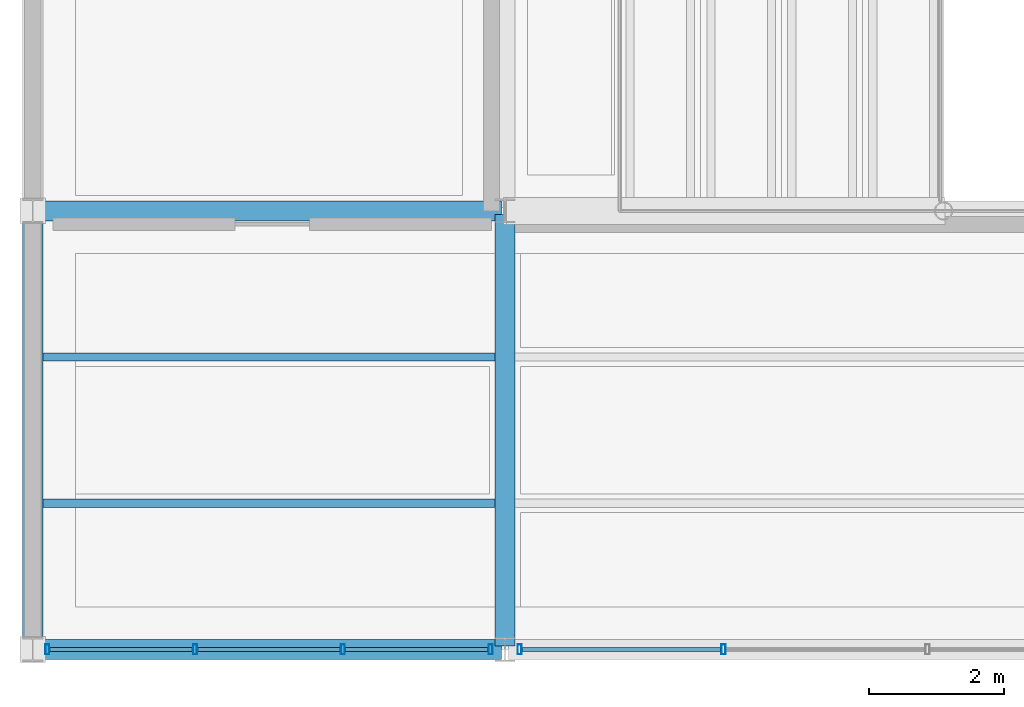
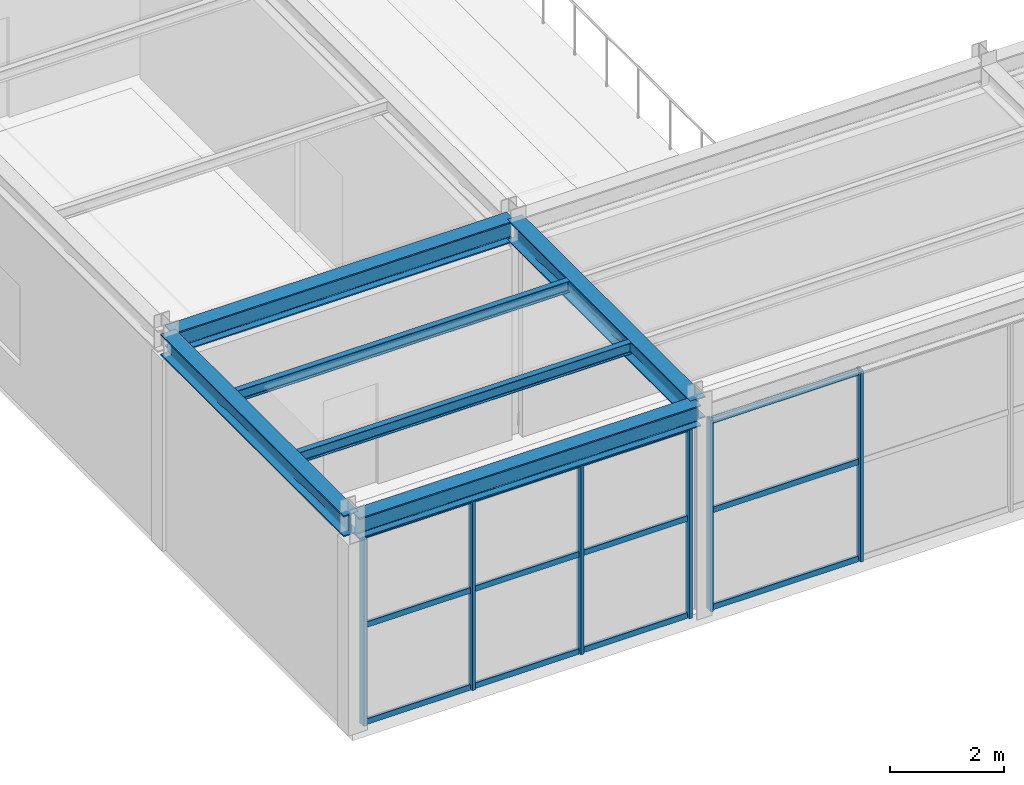
# One storey, part 13 of 100: 18 members, 6 beams, 2 elements without a shape of their own.
"""IFC4 building model written with IfcOpenShell, lengths in metres."""

from ifc_helpers import new_model, si_unit, direction, frame, origin, origin_2d, place, context, subcontext, project, spatial, hollow_rectangle, i_section, extrude, material, material_profile, profile_set, type_object, element, aggregate, save


model = new_model("IFC4")

# Units and contexts
model_context = context("Model", 3, precision=1e-05, world=origin(), true_north=direction((0.0, 1.0)))
body_context = subcontext(model_context, "Body", "Model", "MODEL_VIEW")
ifc_project = project(units=[si_unit("LENGTHUNIT", "METRE"), si_unit("AREAUNIT", "SQUARE_METRE"), si_unit("VOLUMEUNIT", "CUBIC_METRE"), si_unit("PLANEANGLEUNIT", "RADIAN"), si_unit("MASSUNIT", "GRAM", prefix="KILO")], contexts=[model_context])

# Site, building, storey
site_placement = place(None, origin())
site = spatial("IfcSite", under=ifc_project, at=site_placement, CompositionType="ELEMENT")
building_placement = place(site_placement, origin())
building = spatial("IfcBuilding", under=site, at=building_placement, Name="Tarnveldt Headland Concert Hall", CompositionType="ELEMENT")
storey_placement = place(building_placement, frame((0.0, 0.0, 4.800048828125)))
storey = spatial("IfcBuildingStorey", under=building, at=storey_placement, Name="L01", CompositionType="ELEMENT", Elevation=4.800048828125)

# Curtain wall, members
ifc_material_1 = material(Name="Marine-anodised aluminium EN AW-6063-T6", Category="aluminium")
curtain_wall_type = type_object("IfcCurtainWallType", Name="CW-L2", PredefinedType="NOTDEFINED", material=ifc_material_1)
curtain_wall_1_placement = place(storey_placement, origin())
curtain_wall_1 = element("IfcCurtainWall", 1, at=curtain_wall_1_placement, inside=storey, type_object=curtain_wall_type, Name="Curtain wall CW-L01-165", PredefinedType="NOTDEFINED")
ifc_material_profile_1 = material_profile(ifc_material_1, hollow_rectangle(XDim=0.06005859375, YDim=0.14990234375, WallThickness=0.00390625, at=origin_2d()), Name="ALU MULLION 60x150x4", Category="aluminium")
ifc_profile_set_1 = profile_set([ifc_material_profile_1], Name="Marine-anodised aluminium EN AW-6063-T6")
member_type_1 = type_object("IfcMemberType", Name="ML-150", PredefinedType="MULLION", material=ifc_profile_set_1)
member_1_placement = place(storey_placement, frame((7.715087890625, 5.0, 0.0), z_axis=(0.0, 0.0, 1.0), x_axis=(1.0, 0.0, 0.0)))
member_1 = element("IfcMember", 2, at=member_1_placement, type_object=member_type_1, Name="Mullion CW-L01-165-1", PredefinedType="MULLION", context=body_context, shape_type="SweptSolid", body=[
    extrude(hollow_rectangle(XDim=0.06005859375, YDim=0.14990234375, WallThickness=0.00390625, at=origin_2d()), origin(), (0.0, 0.0, 1.0), 4.077880859375),
])
member_2_placement = place(storey_placement, frame((9.905029296875, 5.0, 0.0), z_axis=(0.0, 0.0, 1.0), x_axis=(1.0, 0.0, 0.0)))
member_2 = element("IfcMember", 3, at=member_2_placement, type_object=member_type_1, Name="Mullion CW-L01-165-2", PredefinedType="MULLION", context=body_context, shape_type="SweptSolid", body=[
    extrude(hollow_rectangle(XDim=0.06005859375, YDim=0.14990234375, WallThickness=0.00390625, at=origin_2d()), origin(), (0.0, 0.0, 1.0), 4.077880859375),
])
member_3_placement = place(storey_placement, frame((12.094970703125, 5.0, 0.0), z_axis=(0.0, 0.0, 1.0), x_axis=(1.0, 0.0, 0.0)))
member_3 = element("IfcMember", 4, at=member_3_placement, type_object=member_type_1, Name="Mullion CW-L01-165-3", PredefinedType="MULLION", context=body_context, shape_type="SweptSolid", body=[
    extrude(hollow_rectangle(XDim=0.06005859375, YDim=0.14990234375, WallThickness=0.00390625, at=origin_2d()), origin(), (0.0, 0.0, 1.0), 4.077880859375),
])
member_4_placement = place(storey_placement, frame((14.284912109375, 5.0, 0.0), z_axis=(0.0, 0.0, 1.0), x_axis=(1.0, 0.0, 0.0)))
member_4 = element("IfcMember", 5, at=member_4_placement, type_object=member_type_1, Name="Mullion CW-L01-165-4", PredefinedType="MULLION", context=body_context, shape_type="SweptSolid", body=[
    extrude(hollow_rectangle(XDim=0.06005859375, YDim=0.14990234375, WallThickness=0.00390625, at=origin_2d()), origin(), (0.0, 0.0, 1.0), 4.077880859375),
])

curtain_wall_2_placement = place(storey_placement, origin())
curtain_wall_2 = element("IfcCurtainWall", 6, at=curtain_wall_2_placement, inside=storey, type_object=curtain_wall_type, Name="Curtain wall CW-L01-166", PredefinedType="NOTDEFINED")
member_5_placement = place(storey_placement, frame((14.715087890625, 5.0, 0.0), z_axis=(0.0, 0.0, 1.0), x_axis=(1.0, 0.0, 0.0)))
member_5 = element("IfcMember", 7, at=member_5_placement, type_object=member_type_1, Name="Mullion CW-L01-166-1", PredefinedType="MULLION", context=body_context, shape_type="SweptSolid", body=[
    extrude(hollow_rectangle(XDim=0.06005859375, YDim=0.14990234375, WallThickness=0.00390625, at=origin_2d()), origin(), (0.0, 0.0, 1.0), 4.077880859375),
])
member_6_placement = place(storey_placement, frame((17.73828125, 5.0, 0.0), z_axis=(0.0, 0.0, 1.0), x_axis=(1.0, 0.0, 0.0)))
member_6 = element("IfcMember", 8, at=member_6_placement, type_object=member_type_1, Name="Mullion CW-L01-166-2", PredefinedType="MULLION", context=body_context, shape_type="SweptSolid", body=[
    extrude(hollow_rectangle(XDim=0.06005859375, YDim=0.14990234375, WallThickness=0.00390625, at=origin_2d()), origin(), (0.0, 0.0, 1.0), 4.077880859375),
])

# Beams
ifc_material_2 = material(Name="Steel S355", Category="steel")
ifc_material_profile_2 = material_profile(ifc_material_2, i_section(OverallWidth=0.300048828125, OverallDepth=0.449951171875, WebThickness=0.013916015625, FlangeThickness=0.02587890625, FilletRadius=0.027099609375, at=origin_2d()), Name="HEB450", Category="steel")
ifc_profile_set_2 = profile_set([ifc_material_profile_2], Name="Steel S355")
beam_type_1 = type_object("IfcBeamType", Name="SB-HEB450", PredefinedType="BEAM", material=ifc_profile_set_2)
for number, where, z_axis, x_axis, name in (
    (9, (7.550048828125, 5.0, 4.31494140625), (1.0, 0.0, 0.0), (0.0, 1.0, 0.0), "Framing beam L01-863"),
    (10, (7.550048828125, 11.5, 4.31494140625), (1.0, 0.0, 0.0), (0.0, 1.0, 0.0), "Framing beam L01-868"),
):
    element("IfcBeam", number, at=place(storey_placement, frame(where, z_axis=z_axis, x_axis=x_axis)), inside=storey, type_object=beam_type_1, Name=name, PredefinedType="BEAM", context=body_context, shape_type="SweptSolid", body=[
        extrude(i_section(OverallWidth=0.300048828125, OverallDepth=0.449951171875, WebThickness=0.013916015625, FlangeThickness=0.02587890625, FilletRadius=0.027099609375, at=origin_2d()), origin(), (0.0, 0.0, 1.0), 6.89990234375),
    ])
for number, where, z_axis, x_axis, name in (
    (11, (7.5, 5.050048828125, 4.31494140625), (0.0, 1.0, 0.0), (-1.0, 0.0, 0.0), "Framing beam L01-880"),
    (12, (14.5, 5.050048828125, 4.31494140625), (0.0, 1.0, 0.0), (-1.0, 0.0, 0.0), "Framing beam L01-889"),
):
    element("IfcBeam", number, at=place(storey_placement, frame(where, z_axis=z_axis, x_axis=x_axis)), inside=storey, type_object=beam_type_1, Name=name, PredefinedType="BEAM", context=body_context, shape_type="SweptSolid", body=[
        extrude(i_section(OverallWidth=0.300048828125, OverallDepth=0.449951171875, WebThickness=0.013916015625, FlangeThickness=0.02587890625, FilletRadius=0.027099609375, at=origin_2d()), origin(), (0.0, 0.0, 1.0), 6.39990234375),
    ])
ifc_material_profile_3 = material_profile(ifc_material_2, i_section(OverallWidth=0.1201171875, OverallDepth=0.239990234375, WebThickness=0.006103515625, FlangeThickness=0.009765625, FilletRadius=0.014892578125, at=origin_2d()), Name="IPE240", Category="steel")
ifc_profile_set_3 = profile_set([ifc_material_profile_3], Name="Steel S355")
beam_type_2 = type_object("IfcBeamType", Name="SB-IPE240", PredefinedType="JOIST", material=ifc_profile_set_3)
for number, where, z_axis, x_axis, name in (
    (13, (7.64990234375, 7.1669921875, 4.419921875), (1.0, 0.0, 0.0), (0.0, 1.0, 0.0), "Framing beam L01-881"),
    (14, (7.64990234375, 9.3330078125, 4.419921875), (1.0, 0.0, 0.0), (0.0, 1.0, 0.0), "Framing beam L01-882"),
):
    element("IfcBeam", number, at=place(storey_placement, frame(where, z_axis=z_axis, x_axis=x_axis)), inside=storey, type_object=beam_type_2, Name=name, PredefinedType="JOIST", context=body_context, shape_type="SweptSolid", body=[
        extrude(i_section(OverallWidth=0.1201171875, OverallDepth=0.239990234375, WebThickness=0.006103515625, FlangeThickness=0.009765625, FilletRadius=0.014892578125, at=origin_2d()), origin(), (0.0, 0.0, 1.0), 6.7001953125),
    ])

# Member
ifc_material_profile_4 = material_profile(ifc_material_1, hollow_rectangle(XDim=0.06005859375, YDim=0.1201171875, WallThickness=0.00390625, at=origin_2d()), Name="ALU TRANSOM 60x120x4", Category="aluminium")
ifc_profile_set_4 = profile_set([ifc_material_profile_4], Name="Marine-anodised aluminium EN AW-6063-T6")
member_type_2 = type_object("IfcMemberType", Name="TR-110", PredefinedType="MEMBER", material=ifc_profile_set_4)
member_7_placement = place(storey_placement, frame((7.757080078125, 5.0, 0.050048828125), z_axis=(1.0, 0.0, 0.0), x_axis=(0.0, 1.0, 0.0)))
member_7 = element("IfcMember", 15, at=member_7_placement, type_object=member_type_2, Name="Transom CW-L01-165-1-1", PredefinedType="MEMBER", context=body_context, shape_type="SweptSolid", body=[
    extrude(hollow_rectangle(XDim=0.06005859375, YDim=0.1201171875, WallThickness=0.00390625, at=origin_2d()), origin(), (0.0, 0.0, 1.0), 2.10595703125),
])

member_8_placement = place(storey_placement, frame((7.757080078125, 5.0, 2.12060546875), z_axis=(1.0, 0.0, 0.0), x_axis=(0.0, 1.0, 0.0)))
member_8 = element("IfcMember", 16, at=member_8_placement, type_object=member_type_2, Name="Transom CW-L01-165-1-2", PredefinedType="MEMBER", context=body_context, shape_type="SweptSolid", body=[
    extrude(hollow_rectangle(XDim=0.06005859375, YDim=0.1201171875, WallThickness=0.00390625, at=origin_2d()), origin(), (0.0, 0.0, 1.0), 2.10595703125),
])

member_9_placement = place(storey_placement, frame((7.757080078125, 5.0, 4.02783203125), z_axis=(1.0, 0.0, 0.0), x_axis=(0.0, 1.0, 0.0)))
member_9 = element("IfcMember", 17, at=member_9_placement, type_object=member_type_2, Name="Transom CW-L01-165-1-3", PredefinedType="MEMBER", context=body_context, shape_type="SweptSolid", body=[
    extrude(hollow_rectangle(XDim=0.06005859375, YDim=0.1201171875, WallThickness=0.00390625, at=origin_2d()), origin(), (0.0, 0.0, 1.0), 2.10595703125),
])

member_10_placement = place(storey_placement, frame((9.947021484375, 5.0, 0.050048828125), z_axis=(1.0, 0.0, 0.0), x_axis=(0.0, 1.0, 0.0)))
member_10 = element("IfcMember", 18, at=member_10_placement, type_object=member_type_2, Name="Transom CW-L01-165-2-1", PredefinedType="MEMBER", context=body_context, shape_type="SweptSolid", body=[
    extrude(hollow_rectangle(XDim=0.06005859375, YDim=0.1201171875, WallThickness=0.00390625, at=origin_2d()), origin(), (0.0, 0.0, 1.0), 2.10595703125),
])

member_11_placement = place(storey_placement, frame((9.947021484375, 5.0, 2.12060546875), z_axis=(1.0, 0.0, 0.0), x_axis=(0.0, 1.0, 0.0)))
member_11 = element("IfcMember", 19, at=member_11_placement, type_object=member_type_2, Name="Transom CW-L01-165-2-2", PredefinedType="MEMBER", context=body_context, shape_type="SweptSolid", body=[
    extrude(hollow_rectangle(XDim=0.06005859375, YDim=0.1201171875, WallThickness=0.00390625, at=origin_2d()), origin(), (0.0, 0.0, 1.0), 2.10595703125),
])

member_12_placement = place(storey_placement, frame((9.947021484375, 5.0, 4.02783203125), z_axis=(1.0, 0.0, 0.0), x_axis=(0.0, 1.0, 0.0)))
member_12 = element("IfcMember", 20, at=member_12_placement, type_object=member_type_2, Name="Transom CW-L01-165-2-3", PredefinedType="MEMBER", context=body_context, shape_type="SweptSolid", body=[
    extrude(hollow_rectangle(XDim=0.06005859375, YDim=0.1201171875, WallThickness=0.00390625, at=origin_2d()), origin(), (0.0, 0.0, 1.0), 2.10595703125),
])

member_13_placement = place(storey_placement, frame((12.136962890625, 5.0, 0.050048828125), z_axis=(1.0, 0.0, 0.0), x_axis=(0.0, 1.0, 0.0)))
member_13 = element("IfcMember", 21, at=member_13_placement, type_object=member_type_2, Name="Transom CW-L01-165-3-1", PredefinedType="MEMBER", context=body_context, shape_type="SweptSolid", body=[
    extrude(hollow_rectangle(XDim=0.06005859375, YDim=0.1201171875, WallThickness=0.00390625, at=origin_2d()), origin(), (0.0, 0.0, 1.0), 2.10595703125),
])

member_14_placement = place(storey_placement, frame((12.136962890625, 5.0, 2.12060546875), z_axis=(1.0, 0.0, 0.0), x_axis=(0.0, 1.0, 0.0)))
member_14 = element("IfcMember", 22, at=member_14_placement, type_object=member_type_2, Name="Transom CW-L01-165-3-2", PredefinedType="MEMBER", context=body_context, shape_type="SweptSolid", body=[
    extrude(hollow_rectangle(XDim=0.06005859375, YDim=0.1201171875, WallThickness=0.00390625, at=origin_2d()), origin(), (0.0, 0.0, 1.0), 2.10595703125),
])

member_15_placement = place(storey_placement, frame((12.136962890625, 5.0, 4.02783203125), z_axis=(1.0, 0.0, 0.0), x_axis=(0.0, 1.0, 0.0)))
member_15 = element("IfcMember", 23, at=member_15_placement, type_object=member_type_2, Name="Transom CW-L01-165-3-3", PredefinedType="MEMBER", context=body_context, shape_type="SweptSolid", body=[
    extrude(hollow_rectangle(XDim=0.06005859375, YDim=0.1201171875, WallThickness=0.00390625, at=origin_2d()), origin(), (0.0, 0.0, 1.0), 2.10595703125),
])

aggregate(curtain_wall_1, [member_1, member_2, member_3, member_4, member_7, member_8, member_9, member_10, member_11, member_12, member_13, member_14, member_15])

member_16_placement = place(storey_placement, frame((14.757080078125, 5.0, 0.050048828125), z_axis=(1.0, 0.0, 0.0), x_axis=(0.0, 1.0, 0.0)))
member_16 = element("IfcMember", 24, at=member_16_placement, type_object=member_type_2, Name="Transom CW-L01-166-1-1", PredefinedType="MEMBER", context=body_context, shape_type="SweptSolid", body=[
    extrude(hollow_rectangle(XDim=0.06005859375, YDim=0.1201171875, WallThickness=0.00390625, at=origin_2d()), origin(), (0.0, 0.0, 1.0), 2.939208984375),
])

member_17_placement = place(storey_placement, frame((14.757080078125, 5.0, 2.12060546875), z_axis=(1.0, 0.0, 0.0), x_axis=(0.0, 1.0, 0.0)))
member_17 = element("IfcMember", 25, at=member_17_placement, type_object=member_type_2, Name="Transom CW-L01-166-1-2", PredefinedType="MEMBER", context=body_context, shape_type="SweptSolid", body=[
    extrude(hollow_rectangle(XDim=0.06005859375, YDim=0.1201171875, WallThickness=0.00390625, at=origin_2d()), origin(), (0.0, 0.0, 1.0), 2.939208984375),
])

member_18_placement = place(storey_placement, frame((14.757080078125, 5.0, 4.02783203125), z_axis=(1.0, 0.0, 0.0), x_axis=(0.0, 1.0, 0.0)))
member_18 = element("IfcMember", 26, at=member_18_placement, type_object=member_type_2, Name="Transom CW-L01-166-1-3", PredefinedType="MEMBER", context=body_context, shape_type="SweptSolid", body=[
    extrude(hollow_rectangle(XDim=0.06005859375, YDim=0.1201171875, WallThickness=0.00390625, at=origin_2d()), origin(), (0.0, 0.0, 1.0), 2.939208984375),
])

aggregate(curtain_wall_2, [member_5, member_6, member_16, member_17, member_18])

save(model, "model.ifc")
